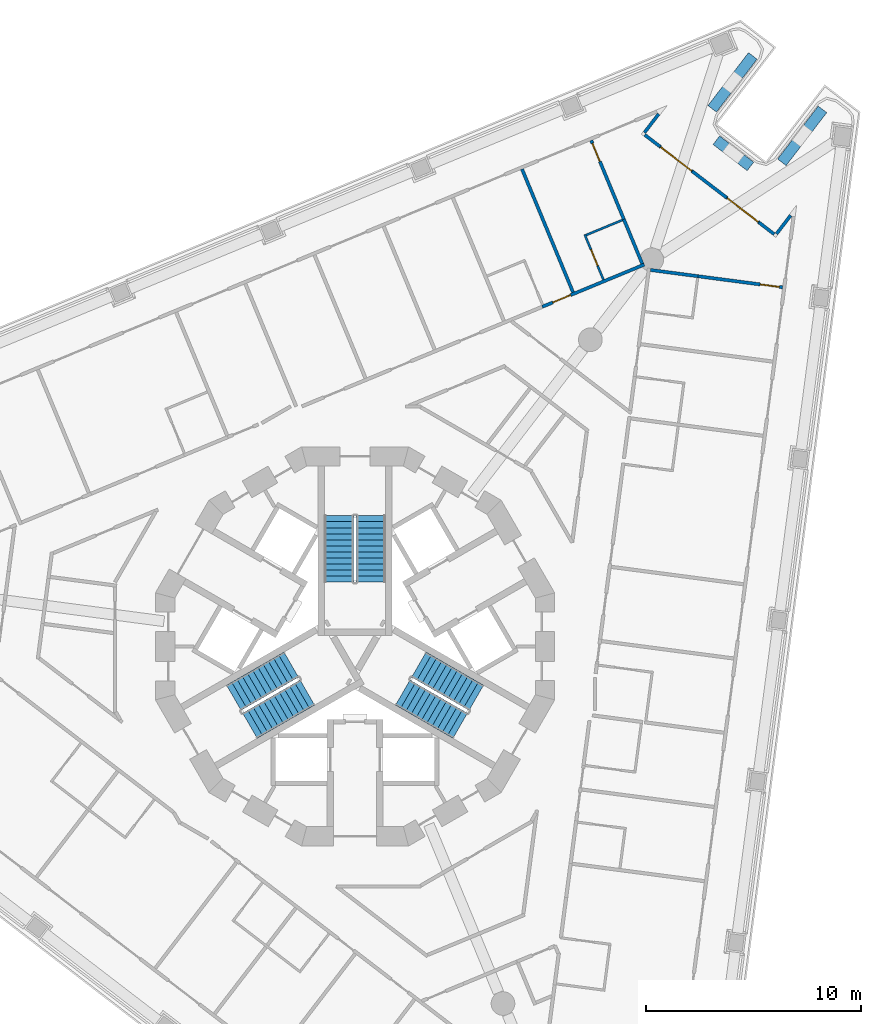
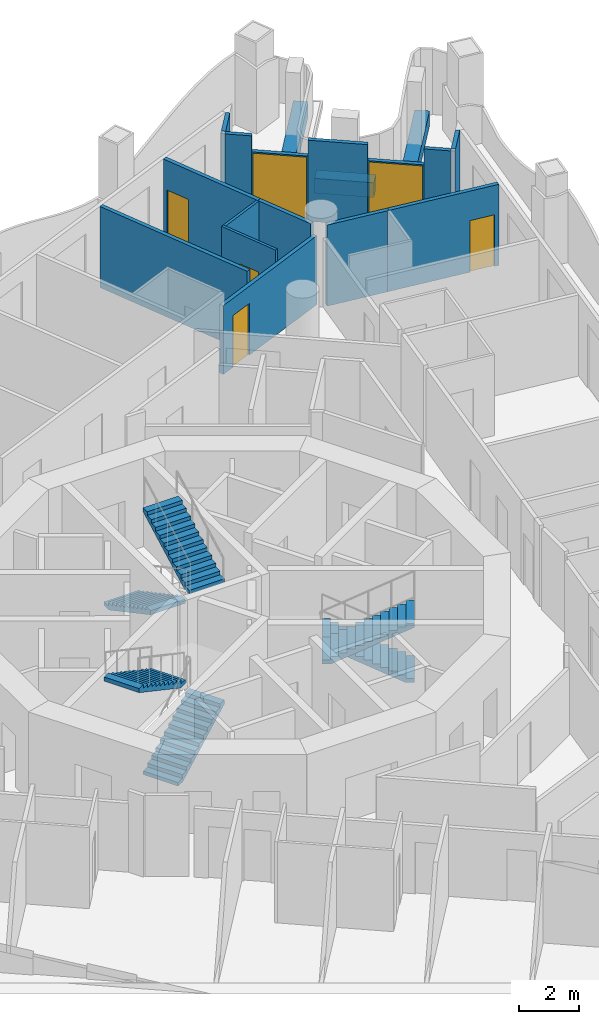
# One storey, part 10 of 17: 18 walls, 6 doors, 6 stair flights, 6 openings, 3 elements without a shape of their own.
"""IFC4 building model written with IfcOpenShell, lengths in metres."""

from ifc_helpers import new_model, si_unit, direction, frame, frame_2d, origin, place, context, subcontext, project, spatial, polyline, rectangle, outline, extrude, material, layer, layer_set, type_object, element, fill, aggregate, save


model = new_model("IFC4")

# Units and contexts
model_context = context("Model", 3, precision=1e-05, world=origin(), true_north=direction((0.0, 1.0)))
body_context = subcontext(model_context, "Body", "Model", "MODEL_VIEW")
ifc_project = project(units=[si_unit("LENGTHUNIT", "METRE"), si_unit("AREAUNIT", "SQUARE_METRE"), si_unit("VOLUMEUNIT", "CUBIC_METRE"), si_unit("PLANEANGLEUNIT", "RADIAN"), si_unit("MASSUNIT", "GRAM", prefix="KILO")], contexts=[model_context])

# Site, building, storey
site_placement = place(None, origin())
site = spatial("IfcSite", under=ifc_project, at=site_placement, CompositionType="ELEMENT")
building_placement = place(site_placement, origin())
building = spatial("IfcBuilding", under=site, at=building_placement, Name="Trine Commons Tower", CompositionType="ELEMENT")
storey_placement = place(building_placement, frame((0.0, 0.0, 131.39990234375)))
storey = spatial("IfcBuildingStorey", under=building, at=storey_placement, Name="L33", CompositionType="ELEMENT", Elevation=131.39990234375)

# Walls
ifc_material_1 = material(Name="Aluminium-framed insulated wall panel", Category="aluminium")
ifc_layer_1 = layer(ifc_material_1, 0.14990234375)
ifc_layer_set_1 = layer_set([ifc_layer_1], Name="Aluminium-framed insulated wall panel")
wall_type_1 = type_object("IfcWallType", Name="Glazed frame wall 150, EI 60", PredefinedType="SOLIDWALL", material=ifc_layer_set_1)
wall_1_placement = place(storey_placement, frame((94.193115234375, 87.345703125, 0.0), z_axis=(0.0, 0.0, 1.0), x_axis=(-0.608762998157, -0.793352136239, 0.0)))
element("IfcWall", 1, at=wall_1_placement, inside=storey, type_object=wall_type_1, Name="Glazed frame wall R5", PredefinedType="SOLIDWALL", context=body_context, shape_type="SweptSolid", body=[
    extrude(outline(polyline([(0.1494140625, 0.074951171875), (0.1494140625, -0.074951171875), (1.235107421875, -0.074951171875), (1.235107421875, 0.074951171875), (0.1494140625, 0.074951171875)])), origin(), (0.0, 0.0, 1.0), 3.300048828125),
])
wall_2_placement = place(storey_placement, frame((93.36767578125, 86.32763671875, 0.0), z_axis=(0.0, 0.0, 1.0), x_axis=(0.793331259853, -0.608790203715, 0.0)))
element("IfcWall", 2, at=wall_2_placement, inside=storey, type_object=wall_type_1, Name="Glazed frame wall P2.1", PredefinedType="SOLIDWALL", context=body_context, shape_type="SweptSolid", body=[
    extrude(outline(polyline([(0.110107421875, -0.074951171875), (1.0, -0.074951171875), (1.0, 0.074951171875), (0.110107421875, 0.074951171875), (0.110107421875, -0.074951171875)])), origin(), (0.0, 0.0, 1.0), 3.300048828125),
])

# Wall, opening, door
wall_3_placement = place(storey_placement, frame((94.1611328125, 85.71875, 0.0), z_axis=(0.0, 0.0, 1.0), x_axis=(0.793382932281, -0.608722862036, 0.0)))
wall_3 = element("IfcWall", 3, at=wall_3_placement, inside=storey, type_object=wall_type_1, Name="Glazed frame wall P2.2", PredefinedType="SOLIDWALL", context=body_context, shape_type="SweptSolid", body=[
    extrude(outline(polyline([(0.0, -0.074951171875), (1.89990234375, -0.074951171875), (1.89990234375, 0.074951171875), (0.0, 0.074951171875), (0.0, -0.074951171875)])), origin(), (0.0, 0.0, 1.0), 2.650146484375),
])
opening_1_placement = place(wall_3_placement, frame((0.050048828125, 0.0, 0.0)))
opening_1 = element("IfcOpeningElement", 4, at=opening_1_placement, cuts=wall_3, Name="Opening BD-4P2-01", PredefinedType="OPENING", context=body_context, shape_type="SweptSolid", body=[
    extrude(rectangle(XDim=1.800048828125, YDim=2.60009765625, at=frame_2d((0.89990234375, 1.300048828125))), frame((0.0, 0.0849609375, 0.0), z_axis=(0.0, -1.0, 0.0), x_axis=(1.0, 0.0, 0.0)), (0.0, 0.0, 1.0), 0.169921875),
])
ifc_material_2 = material(Name="Anodised aluminium frame with double glazing", Category="aluminium")
door_type_1 = type_object("IfcDoorType", Name="Sliding loggia door 1800x2600", OperationType="SLIDING_TO_LEFT", PredefinedType="DOOR", material=ifc_material_2)
door_1_placement = place(opening_1_placement, origin())
door_1 = element("IfcDoor", 5, at=door_1_placement, inside=storey, type_object=door_type_1, Name="Loggia door P2 1", OperationType="SLIDING_TO_LEFT", OverallHeight=2.60009765625, OverallWidth=1.800048828125, PredefinedType="DOOR", context=body_context, shape_type="SweptSolid", body=[
    extrude(rectangle(XDim=1.800048828125, YDim=2.60009765625, at=frame_2d((0.89990234375, 1.300048828125))), frame((0.0, 0.02490234375, 0.0), z_axis=(0.0, -1.0, 0.0), x_axis=(1.0, 0.0, 0.0)), (0.0, 0.0, 1.0), 0.050048828125),
])
fill(opening_1, door_1)

# Wall
wall_4_placement = place(storey_placement, frame((95.66845703125, 84.562255859375, 0.0), z_axis=(0.0, 0.0, 1.0), x_axis=(0.793344974033, -0.608772331974, 0.0)))
element("IfcWall", 6, at=wall_4_placement, inside=storey, type_object=wall_type_1, Name="Glazed frame wall P2.3", PredefinedType="SOLIDWALL", context=body_context, shape_type="SweptSolid", body=[
    extrude(outline(polyline([(0.0, -0.074951171875), (2.0, -0.074951171875), (2.0, 0.074951171875), (0.0, 0.074951171875), (0.0, -0.074951171875)])), origin(), (0.0, 0.0, 1.0), 3.300048828125),
])

# Wall, opening, door
wall_5_placement = place(storey_placement, frame((97.255126953125, 83.3447265625, 0.0), z_axis=(0.0, 0.0, 1.0), x_axis=(0.793320872023, -0.608803740143, 0.0)))
wall_5 = element("IfcWall", 7, at=wall_5_placement, inside=storey, type_object=wall_type_1, Name="Glazed frame wall P2.4", PredefinedType="SOLIDWALL", context=body_context, shape_type="SweptSolid", body=[
    extrude(outline(polyline([(0.0, -0.074951171875), (1.89990234375, -0.074951171875), (1.89990234375, 0.074951171875), (0.0, 0.074951171875), (0.0, -0.074951171875)])), origin(), (0.0, 0.0, 1.0), 2.650146484375),
])
opening_2_placement = place(wall_5_placement, frame((0.050048828125, 0.0, 0.0)))
opening_2 = element("IfcOpeningElement", 8, at=opening_2_placement, cuts=wall_5, Name="Opening BD-4P2-02", PredefinedType="OPENING", context=body_context, shape_type="SweptSolid", body=[
    extrude(rectangle(XDim=1.800048828125, YDim=2.60009765625, at=frame_2d((0.89990234375, 1.300048828125))), frame((0.0, 0.0849609375, 0.0), z_axis=(0.0, -1.0, 0.0), x_axis=(1.0, 0.0, 0.0)), (0.0, 0.0, 1.0), 0.169921875),
])
door_2_placement = place(opening_2_placement, origin())
door_2 = element("IfcDoor", 9, at=door_2_placement, inside=storey, type_object=door_type_1, Name="Loggia door P2 2", OperationType="SLIDING_TO_LEFT", OverallHeight=2.60009765625, OverallWidth=1.800048828125, PredefinedType="DOOR", context=body_context, shape_type="SweptSolid", body=[
    extrude(rectangle(XDim=1.800048828125, YDim=2.60009765625, at=frame_2d((0.89990234375, 1.300048828125))), frame((0.0, 0.02490234375, 0.0), z_axis=(0.0, -1.0, 0.0), x_axis=(1.0, 0.0, 0.0)), (0.0, 0.0, 1.0), 0.050048828125),
])
fill(opening_2, door_2)

# Walls
wall_6_placement = place(storey_placement, frame((98.762451171875, 82.18798828125, 0.0), z_axis=(0.0, 0.0, 1.0), x_axis=(0.793449156962, -0.60863653794, 0.0)))
element("IfcWall", 10, at=wall_6_placement, inside=storey, type_object=wall_type_1, Name="Glazed frame wall P2.5", PredefinedType="SOLIDWALL", context=body_context, shape_type="SweptSolid", body=[
    extrude(outline(polyline([(0.889892578125, 0.074951171875), (0.0, 0.074951171875), (0.0, -0.074951171875), (0.889892578125, -0.074951171875), (0.889892578125, 0.074951171875)])), origin(), (0.0, 0.0, 1.0), 3.300048828125),
])
wall_7_placement = place(storey_placement, frame((99.5068359375, 81.57275390625, 0.0), z_axis=(0.0, 0.0, 1.0), x_axis=(0.608762998157, 0.793352136239, 0.0)))
element("IfcWall", 11, at=wall_7_placement, inside=storey, type_object=wall_type_1, Name="Glazed frame wall R7", PredefinedType="SOLIDWALL", context=body_context, shape_type="SweptSolid", body=[
    extrude(outline(polyline([(0.110107421875, 0.074951171875), (0.110107421875, -0.074951171875), (1.19580078125, -0.074951171875), (1.19580078125, 0.074951171875), (0.110107421875, 0.074951171875)])), origin(), (0.0, 0.0, 1.0), 3.300048828125),
])
ifc_material_3 = material(Name="Planter trough, precast concrete C40/50", Category="concrete")
ifc_layer_2 = layer(ifc_material_3, 0.5)
ifc_layer_set_2 = layer_set([ifc_layer_2], Name="Planter trough, precast concrete C40/50")
wall_type_2 = type_object("IfcWallType", Name="Planter trough 500x600", PredefinedType="PARAPET", material=ifc_layer_set_2)
wall_8_placement = place(storey_placement, frame((98.474609375, 89.927490234375, 0.0), z_axis=(0.0, 0.0, 1.0), x_axis=(-0.608796883945, -0.793326133503, 0.0)))
element("IfcWall", 12, at=wall_8_placement, inside=storey, type_object=wall_type_2, Name="Planter 4", PredefinedType="PARAPET", context=body_context, shape_type="SweptSolid", body=[
    extrude(rectangle(XDim=3.099853515625, YDim=0.5, at=frame_2d((1.5498046875, 0.0))), origin(), (0.0, 0.0, 1.0), 0.60009765625),
])
wall_9_placement = place(storey_placement, frame((96.779296875, 86.010009765625, 0.0), z_axis=(0.0, 0.0, 1.0), x_axis=(0.793390207748, -0.608713379391, 0.0)))
element("IfcWall", 13, at=wall_9_placement, inside=storey, type_object=wall_type_2, Name="Planter 5", PredefinedType="PARAPET", context=body_context, shape_type="SweptSolid", body=[
    extrude(rectangle(XDim=2.000244140625, YDim=0.5, at=frame_2d((1.0, 0.0))), origin(), (0.0, 0.0, 1.0), 0.60009765625),
])
wall_10_placement = place(storey_placement, frame((99.82421875, 84.984619140625, 0.0), z_axis=(0.0, 0.0, 1.0), x_axis=(0.608796883945, 0.793326133503, 0.0)))
element("IfcWall", 14, at=wall_10_placement, inside=storey, type_object=wall_type_2, Name="Planter 6", PredefinedType="PARAPET", context=body_context, shape_type="SweptSolid", body=[
    extrude(rectangle(XDim=3.099853515625, YDim=0.5, at=frame_2d((1.5498046875, 0.0))), origin(), (0.0, 0.0, 1.0), 0.60009765625),
])
ifc_material_4 = material(Name="Gypsum plasterboard on steel stud", Category="steel")
ifc_layer_3 = layer(ifc_material_4, 0.14990234375)
ifc_layer_set_3 = layer_set([ifc_layer_3], Name="Gypsum plasterboard on steel stud")
wall_type_3 = type_object("IfcWallType", Name="Unit and corridor wall 150 mm, EI 60", PredefinedType="PARTITIONING", material=ifc_layer_set_3)
wall_11_placement = place(storey_placement, frame((87.75537109375, 84.66796875, 0.0), z_axis=(0.0, 0.0, 1.0), x_axis=(0.382666303598, -0.923886627293, 0.0)))
element("IfcWall", 15, at=wall_11_placement, inside=storey, type_object=wall_type_3, Name="Partition 086", PredefinedType="PARTITIONING", context=body_context, shape_type="SweptSolid", body=[
    extrude(rectangle(XDim=6.193115234375, YDim=0.14990234375, at=frame_2d((3.0966796875, 0.0))), origin(), (0.0, 0.0, 1.0), 3.300048828125),
])

# Wall, opening, door
wall_12_placement = place(storey_placement, frame((88.69287109375, 78.27197265625, 0.0), z_axis=(0.0, 0.0, 1.0), x_axis=(0.92395946552, 0.382490399978, 0.0)))
wall_12 = element("IfcWall", 16, at=wall_12_placement, inside=storey, type_object=wall_type_3, Name="Partition 096", PredefinedType="PARTITIONING", context=body_context, shape_type="SweptSolid", body=[
    extrude(rectangle(XDim=5.1337890625, YDim=0.14990234375, at=frame_2d((2.56689453125, 0.0))), origin(), (0.0, 0.0, 1.0), 2.800048828125),
])
opening_3_placement = place(wall_12_placement, frame((0.531494140625, 0.0, 0.0)))
opening_3 = element("IfcOpeningElement", 17, at=opening_3_placement, cuts=wall_12, Name="Opening D-4A13", PredefinedType="OPENING", context=body_context, shape_type="SweptSolid", body=[
    extrude(rectangle(XDim=0.89990234375, YDim=2.10009765625, at=frame_2d((0.449951171875, 1.050048828125))), frame((0.0, 0.0849609375, 0.0), z_axis=(0.0, -1.0, 0.0), x_axis=(1.0, 0.0, 0.0)), (0.0, 0.0, 1.0), 0.169921875),
])
ifc_material_5 = material(Name="Timber fire door set", Category="wood")
door_type_2 = type_object("IfcDoorType", Name="Bedroom door 900 x 2100, FD30S", OperationType="NOTDEFINED", PredefinedType="DOOR", material=ifc_material_5)
door_3_placement = place(opening_3_placement, origin())
door_3 = element("IfcDoor", 18, at=door_3_placement, inside=storey, type_object=door_type_2, Name="Door D-4A13", OperationType="SINGLE_SWING_LEFT", OverallHeight=2.10009765625, OverallWidth=0.89990234375, PredefinedType="DOOR", context=body_context, shape_type="SweptSolid", body=[
    extrude(rectangle(XDim=0.89990234375, YDim=2.10009765625, at=frame_2d((0.449951171875, 1.050048828125))), frame((0.0, 0.02490234375, 0.0), z_axis=(0.0, -1.0, 0.0), x_axis=(1.0, 0.0, 0.0)), (0.0, 0.0, 1.0), 0.050048828125),
])
fill(opening_3, door_3)

wall_13_placement = place(storey_placement, frame((90.96826171875, 85.9990234375, 0.0), z_axis=(0.0, 0.0, 1.0), x_axis=(0.382692977479, -0.923875578738, 0.0)))
wall_13 = element("IfcWall", 19, at=wall_13_placement, inside=storey, type_object=wall_type_3, Name="Partition 114", PredefinedType="PARTITIONING", context=body_context, shape_type="SweptSolid", body=[
    extrude(rectangle(XDim=4.023681640625, YDim=0.14990234375, at=frame_2d((2.01171875, 0.0))), origin(), (0.0, 0.0, 1.0), 3.300048828125),
])
opening_4_placement = place(wall_13_placement, frame((0.14990234375, 0.0, 0.0)))
opening_4 = element("IfcOpeningElement", 20, at=opening_4_placement, cuts=wall_13, Name="Opening D-4A14", PredefinedType="OPENING", context=body_context, shape_type="SweptSolid", body=[
    extrude(rectangle(XDim=0.89990234375, YDim=2.10009765625, at=frame_2d((0.449951171875, 1.050048828125))), frame((0.0, 0.0849609375, 0.0), z_axis=(0.0, -1.0, 0.0), x_axis=(1.0, 0.0, 0.0)), (0.0, 0.0, 1.0), 0.169921875),
])
door_4_placement = place(opening_4_placement, frame((0.89990234375, 0.0, 0.0), z_axis=(0.0, 0.0, 1.0), x_axis=(-1.0, 0.0, 0.0)))
door_4 = element("IfcDoor", 21, at=door_4_placement, inside=storey, type_object=door_type_2, Name="Door D-4A14", OperationType="SINGLE_SWING_RIGHT", OverallHeight=2.10009765625, OverallWidth=0.89990234375, PredefinedType="DOOR", context=body_context, shape_type="SweptSolid", body=[
    extrude(rectangle(XDim=0.89990234375, YDim=2.10009765625, at=frame_2d((0.449951171875, 1.050048828125))), frame((0.0, 0.02490234375, 0.0), z_axis=(0.0, -1.0, 0.0), x_axis=(1.0, 0.0, 0.0)), (0.0, 0.0, 1.0), 0.050048828125),
])
fill(opening_4, door_4)

# Walls
wall_14_placement = place(storey_placement, frame((92.486083984375, 82.3359375, 0.0), z_axis=(0.0, 0.0, 1.0), x_axis=(0.382374366103, -0.924007491391, 0.0)))
element("IfcWall", 22, at=wall_14_placement, inside=storey, type_object=wall_type_3, Name="Partition 126", PredefinedType="PARTITIONING", context=body_context, shape_type="SweptSolid", body=[
    extrude(rectangle(XDim=2.22900390625, YDim=0.14990234375, at=frame_2d((1.114501953125, 0.0))), origin(), (0.0, 0.0, 1.0), 3.300048828125),
])
wall_15_placement = place(storey_placement, frame((93.718505859375, 79.984130859375, 0.0), z_axis=(0.0, 0.0, 1.0), x_axis=(0.991444602233, -0.130528160577, 0.0)))
element("IfcWall", 23, at=wall_15_placement, inside=storey, type_object=wall_type_3, Name="Partition 137", PredefinedType="PARTITIONING", context=body_context, shape_type="SweptSolid", body=[
    extrude(rectangle(XDim=2.2294921875, YDim=0.14990234375, at=frame_2d((1.11474609375, 0.0))), origin(), (0.0, 0.0, 1.0), 3.300048828125),
])

# Wall, opening, door
wall_16_placement = place(storey_placement, frame((95.871337890625, 79.700439453125, 0.0), z_axis=(0.0, 0.0, 1.0), x_axis=(0.991472672227, -0.130314773632, 0.0)))
wall_16 = element("IfcWall", 24, at=wall_16_placement, inside=storey, type_object=wall_type_3, Name="Partition 141", PredefinedType="PARTITIONING", context=body_context, shape_type="SweptSolid", body=[
    extrude(rectangle(XDim=4.022216796875, YDim=0.14990234375, at=frame_2d((2.01123046875, 0.0))), origin(), (0.0, 0.0, 1.0), 3.300048828125),
])
opening_5_placement = place(wall_16_placement, frame((2.972412109375, 0.0, 0.0)))
opening_5 = element("IfcOpeningElement", 25, at=opening_5_placement, cuts=wall_16, Name="Opening D-4A15", PredefinedType="OPENING", context=body_context, shape_type="SweptSolid", body=[
    extrude(rectangle(XDim=0.89990234375, YDim=2.10009765625, at=frame_2d((0.449951171875, 1.050048828125))), frame((0.0, 0.0849609375, 0.0), z_axis=(0.0, -1.0, 0.0), x_axis=(1.0, 0.0, 0.0)), (0.0, 0.0, 1.0), 0.169921875),
])
door_5_placement = place(opening_5_placement, frame((0.89990234375, 0.0, 0.0), z_axis=(0.0, 0.0, 1.0), x_axis=(-1.0, 0.0, 0.0)))
door_5 = element("IfcDoor", 26, at=door_5_placement, inside=storey, type_object=door_type_2, Name="Door D-4A15", OperationType="SINGLE_SWING_LEFT", OverallHeight=2.10009765625, OverallWidth=0.89990234375, PredefinedType="DOOR", context=body_context, shape_type="SweptSolid", body=[
    extrude(rectangle(XDim=0.89990234375, YDim=2.10009765625, at=frame_2d((0.449951171875, 1.050048828125))), frame((0.0, 0.02490234375, 0.0), z_axis=(0.0, -1.0, 0.0), x_axis=(1.0, 0.0, 0.0)), (0.0, 0.0, 1.0), 0.050048828125),
])
fill(opening_5, door_5)

ifc_layer_4 = layer(ifc_material_4, 0.10009765625)
ifc_layer_set_4 = layer_set([ifc_layer_4], Name="Gypsum plasterboard on steel stud")
wall_type_4 = type_object("IfcWallType", Name="Unit partition 100 mm, no rating", PredefinedType="PARTITIONING", material=ifc_layer_set_4)
wall_17_placement = place(storey_placement, frame((90.666015625, 81.632080078125, 0.0), z_axis=(0.0, 0.0, 1.0), x_axis=(0.382595073996, -0.923916126796, 0.0)))
wall_17 = element("IfcWall", 27, at=wall_17_placement, inside=storey, type_object=wall_type_4, Name="Partition 112", PredefinedType="PARTITIONING", context=body_context, shape_type="SweptSolid", body=[
    extrude(rectangle(XDim=2.27490234375, YDim=0.10009765625, at=frame_2d((1.137451171875, 0.0))), origin(), (0.0, 0.0, 1.0), 3.300048828125),
])
opening_6_placement = place(wall_17_placement, frame((0.7626953125, 0.0, 0.0)))
opening_6 = element("IfcOpeningElement", 28, at=opening_6_placement, cuts=wall_17, Name="Opening D-4A43", PredefinedType="OPENING", context=body_context, shape_type="SweptSolid", body=[
    extrude(rectangle(XDim=0.800048828125, YDim=2.10009765625, at=frame_2d((0.39990234375, 1.050048828125))), frame((0.0, 0.06005859375, 0.0), z_axis=(0.0, -1.0, 0.0), x_axis=(1.0, 0.0, 0.0)), (0.0, 0.0, 1.0), 0.1201171875),
])
ifc_material_6 = material(Name="Painted timber", Category="wood")
door_type_3 = type_object("IfcDoorType", Name="Internal door 800 x 2100, NOT RATED", OperationType="NOTDEFINED", PredefinedType="DOOR", material=ifc_material_6)
door_6_placement = place(opening_6_placement, frame((0.800048828125, 0.0, 0.0), z_axis=(0.0, 0.0, 1.0), x_axis=(-1.0, 0.0, 0.0)))
door_6 = element("IfcDoor", 29, at=door_6_placement, inside=storey, type_object=door_type_3, Name="Door D-4A43", OperationType="SINGLE_SWING_LEFT", OverallHeight=2.10009765625, OverallWidth=0.800048828125, PredefinedType="DOOR", context=body_context, shape_type="SweptSolid", body=[
    extrude(rectangle(XDim=0.800048828125, YDim=2.10009765625, at=frame_2d((0.39990234375, 1.050048828125))), frame((0.0, 0.02490234375, 0.0), z_axis=(0.0, -1.0, 0.0), x_axis=(1.0, 0.0, 0.0)), (0.0, 0.0, 1.0), 0.050048828125),
])
fill(opening_6, door_6)

# Wall
wall_18_placement = place(storey_placement, frame((90.731201171875, 81.60498046875, 0.0), z_axis=(0.0, 0.0, 1.0), x_axis=(0.923945120737, 0.382525049986, 0.0)))
element("IfcWall", 30, at=wall_18_placement, inside=storey, type_object=wall_type_4, Name="Partition 113", PredefinedType="PARTITIONING", context=body_context, shape_type="SweptSolid", body=[
    extrude(rectangle(XDim=1.825439453125, YDim=0.10009765625, at=frame_2d((0.91259765625, 0.0))), origin(), (0.0, 0.0, 1.0), 3.300048828125),
])

# Stair, stair flights
ifc_material_7 = material(Name="Concrete C50/60", Category="concrete")
stair_type = type_object("IfcStairType", Name="Exit stair, dog-leg, 24 risers of 150 mm", PredefinedType="HALF_TURN_STAIR", material=ifc_material_7)
stair_1_placement = place(storey_placement, origin())
stair_1 = element("IfcStair", 31, at=stair_1_placement, inside=storey, type_object=stair_type, Name="L33 Exit stair ST1B", PredefinedType="HALF_TURN_STAIR")
stair_flight_type = type_object("IfcStairFlightType", Name="Stair flight, 1350 wide, 12 risers of 150 mm", PredefinedType="STRAIGHT", material=ifc_material_7)
stair_flight_1_placement = place(storey_placement, frame((79.25, 68.570556640625, 0.0), z_axis=(0.0, 0.0, 1.0), x_axis=(0.0, -1.0, 0.0)))
stair_flight_1 = element("IfcStairFlight", 32, at=stair_flight_1_placement, type_object=stair_flight_type, Name="ST1B flight 1", NumberOfRisers=12, NumberOfTreads=11, PredefinedType="STRAIGHT", RiserHeight=0.15, TreadLength=0.28, context=body_context, shape_type="SweptSolid", body=[
    extrude(outline(polyline([(0.0, 0.0), (0.0, 0.14990234375), (0.280029296875, 0.14990234375), (0.280029296875, 0.300048828125), (0.56005859375, 0.300048828125), (0.56005859375, 0.449951171875), (0.840087890625, 0.449951171875), (0.840087890625, 0.60009765625), (1.1201171875, 0.60009765625), (1.1201171875, 0.75), (1.39990234375, 0.75), (1.39990234375, 0.89990234375), (1.679931640625, 0.89990234375), (1.679931640625, 1.050048828125), (1.9599609375, 1.050048828125), (1.9599609375, 1.199951171875), (2.239990234375, 1.199951171875), (2.239990234375, 1.35009765625), (2.52001953125, 1.35009765625), (2.52001953125, 1.5), (2.800048828125, 1.5), (2.800048828125, 1.64990234375), (3.080078125, 1.64990234375), (3.080078125, 1.800048828125), (3.080078125, 1.47998046875), (0.3173828125, 0.0), (0.0, 0.0)])), frame((0.0, 0.675048828125, 0.0), z_axis=(0.0, -1.0, 0.0), x_axis=(1.0, 0.0, 0.0)), (0.0, 0.0, 1.0), 1.35009765625),
])
stair_flight_2_placement = place(storey_placement, frame((80.75, 65.490478515625, 1.800048828125), z_axis=(0.0, 0.0, 1.0), x_axis=(0.0, 1.0, 0.0)))
stair_flight_2 = element("IfcStairFlight", 33, at=stair_flight_2_placement, type_object=stair_flight_type, Name="ST1B flight 2", NumberOfRisers=12, NumberOfTreads=11, PredefinedType="STRAIGHT", RiserHeight=0.15, TreadLength=0.28, context=body_context, shape_type="SweptSolid", body=[
    extrude(outline(polyline([(0.0, 0.0), (0.0, 0.14990234375), (0.280029296875, 0.14990234375), (0.280029296875, 0.300048828125), (0.56005859375, 0.300048828125), (0.56005859375, 0.449951171875), (0.840087890625, 0.449951171875), (0.840087890625, 0.60009765625), (1.1201171875, 0.60009765625), (1.1201171875, 0.75), (1.39990234375, 0.75), (1.39990234375, 0.89990234375), (1.679931640625, 0.89990234375), (1.679931640625, 1.050048828125), (1.9599609375, 1.050048828125), (1.9599609375, 1.199951171875), (2.239990234375, 1.199951171875), (2.239990234375, 1.35009765625), (2.52001953125, 1.35009765625), (2.52001953125, 1.5), (2.800048828125, 1.5), (2.800048828125, 1.64990234375), (3.080078125, 1.64990234375), (3.080078125, 1.800048828125), (3.080078125, 1.47998046875), (0.3173828125, 0.0), (0.0, 0.0)])), frame((0.0, 0.675048828125, 0.0), z_axis=(0.0, -1.0, 0.0), x_axis=(1.0, 0.0, 0.0)), (0.0, 0.0, 1.0), 1.35009765625),
])
aggregate(stair_1, [stair_flight_1, stair_flight_2])

stair_2_placement = place(storey_placement, origin())
stair_2 = element("IfcStair", 34, at=stair_2_placement, inside=storey, type_object=stair_type, Name="L33 Exit stair ST2B", PredefinedType="HALF_TURN_STAIR")
stair_flight_3_placement = place(storey_placement, frame((75.11767578125, 58.815185546875, 0.0), z_axis=(0.0, 0.0, 1.0), x_axis=(0.866025403784, 0.5, 0.0)))
stair_flight_3 = element("IfcStairFlight", 35, at=stair_flight_3_placement, type_object=stair_flight_type, Name="ST2B flight 1", NumberOfRisers=12, NumberOfTreads=11, PredefinedType="STRAIGHT", RiserHeight=0.15, TreadLength=0.28, context=body_context, shape_type="SweptSolid", body=[
    extrude(outline(polyline([(0.0, 0.0), (0.0, 0.14990234375), (0.280029296875, 0.14990234375), (0.280029296875, 0.300048828125), (0.56005859375, 0.300048828125), (0.56005859375, 0.449951171875), (0.840087890625, 0.449951171875), (0.840087890625, 0.60009765625), (1.1201171875, 0.60009765625), (1.1201171875, 0.75), (1.39990234375, 0.75), (1.39990234375, 0.89990234375), (1.679931640625, 0.89990234375), (1.679931640625, 1.050048828125), (1.9599609375, 1.050048828125), (1.9599609375, 1.199951171875), (2.239990234375, 1.199951171875), (2.239990234375, 1.35009765625), (2.52001953125, 1.35009765625), (2.52001953125, 1.5), (2.800048828125, 1.5), (2.800048828125, 1.64990234375), (3.080078125, 1.64990234375), (3.080078125, 1.800048828125), (3.080078125, 1.47998046875), (0.3173828125, 0.0), (0.0, 0.0)])), frame((0.0, 0.675048828125, 0.0), z_axis=(0.0, -1.0, 0.0), x_axis=(1.0, 0.0, 0.0)), (0.0, 0.0, 1.0), 1.35009765625),
])
stair_flight_4_placement = place(storey_placement, frame((77.03515625, 61.654296875, 1.800048828125), z_axis=(0.0, 0.0, 1.0), x_axis=(-0.866025403784, -0.5, 0.0)))
stair_flight_4 = element("IfcStairFlight", 36, at=stair_flight_4_placement, type_object=stair_flight_type, Name="ST2B flight 2", NumberOfRisers=12, NumberOfTreads=11, PredefinedType="STRAIGHT", RiserHeight=0.15, TreadLength=0.28, context=body_context, shape_type="SweptSolid", body=[
    extrude(outline(polyline([(0.0, 0.0), (0.0, 0.14990234375), (0.280029296875, 0.14990234375), (0.280029296875, 0.300048828125), (0.56005859375, 0.300048828125), (0.56005859375, 0.449951171875), (0.840087890625, 0.449951171875), (0.840087890625, 0.60009765625), (1.1201171875, 0.60009765625), (1.1201171875, 0.75), (1.39990234375, 0.75), (1.39990234375, 0.89990234375), (1.679931640625, 0.89990234375), (1.679931640625, 1.050048828125), (1.9599609375, 1.050048828125), (1.9599609375, 1.199951171875), (2.239990234375, 1.199951171875), (2.239990234375, 1.35009765625), (2.52001953125, 1.35009765625), (2.52001953125, 1.5), (2.800048828125, 1.5), (2.800048828125, 1.64990234375), (3.080078125, 1.64990234375), (3.080078125, 1.800048828125), (3.080078125, 1.47998046875), (0.3173828125, 0.0), (0.0, 0.0)])), frame((0.0, 0.675048828125, 0.0), z_axis=(0.0, -1.0, 0.0), x_axis=(1.0, 0.0, 0.0)), (0.0, 0.0, 1.0), 1.35009765625),
])
aggregate(stair_2, [stair_flight_3, stair_flight_4])

stair_3_placement = place(storey_placement, origin())
stair_3 = element("IfcStair", 37, at=stair_3_placement, inside=storey, type_object=stair_type, Name="L33 Exit stair ST3B", PredefinedType="HALF_TURN_STAIR")
stair_flight_5_placement = place(storey_placement, frame((85.63232421875, 60.1142578125, 0.0), z_axis=(0.0, 0.0, 1.0), x_axis=(-0.866025403784, 0.5, 0.0)))
stair_flight_5 = element("IfcStairFlight", 38, at=stair_flight_5_placement, type_object=stair_flight_type, Name="ST3B flight 1", NumberOfRisers=12, NumberOfTreads=11, PredefinedType="STRAIGHT", RiserHeight=0.15, TreadLength=0.28, context=body_context, shape_type="SweptSolid", body=[
    extrude(outline(polyline([(0.0, 0.0), (0.0, 0.14990234375), (0.280029296875, 0.14990234375), (0.280029296875, 0.300048828125), (0.56005859375, 0.300048828125), (0.56005859375, 0.449951171875), (0.840087890625, 0.449951171875), (0.840087890625, 0.60009765625), (1.1201171875, 0.60009765625), (1.1201171875, 0.75), (1.39990234375, 0.75), (1.39990234375, 0.89990234375), (1.679931640625, 0.89990234375), (1.679931640625, 1.050048828125), (1.9599609375, 1.050048828125), (1.9599609375, 1.199951171875), (2.239990234375, 1.199951171875), (2.239990234375, 1.35009765625), (2.52001953125, 1.35009765625), (2.52001953125, 1.5), (2.800048828125, 1.5), (2.800048828125, 1.64990234375), (3.080078125, 1.64990234375), (3.080078125, 1.800048828125), (3.080078125, 1.47998046875), (0.3173828125, 0.0), (0.0, 0.0)])), frame((0.0, 0.675048828125, 0.0), z_axis=(0.0, -1.0, 0.0), x_axis=(1.0, 0.0, 0.0)), (0.0, 0.0, 1.0), 1.35009765625),
])
stair_flight_6_placement = place(storey_placement, frame((82.21484375, 60.355224609375, 1.800048828125), z_axis=(0.0, 0.0, 1.0), x_axis=(0.866025403784, -0.5, 0.0)))
stair_flight_6 = element("IfcStairFlight", 39, at=stair_flight_6_placement, type_object=stair_flight_type, Name="ST3B flight 2", NumberOfRisers=12, NumberOfTreads=11, PredefinedType="STRAIGHT", RiserHeight=0.15, TreadLength=0.28, context=body_context, shape_type="SweptSolid", body=[
    extrude(outline(polyline([(0.0, 0.0), (0.0, 0.14990234375), (0.280029296875, 0.14990234375), (0.280029296875, 0.300048828125), (0.56005859375, 0.300048828125), (0.56005859375, 0.449951171875), (0.840087890625, 0.449951171875), (0.840087890625, 0.60009765625), (1.1201171875, 0.60009765625), (1.1201171875, 0.75), (1.39990234375, 0.75), (1.39990234375, 0.89990234375), (1.679931640625, 0.89990234375), (1.679931640625, 1.050048828125), (1.9599609375, 1.050048828125), (1.9599609375, 1.199951171875), (2.239990234375, 1.199951171875), (2.239990234375, 1.35009765625), (2.52001953125, 1.35009765625), (2.52001953125, 1.5), (2.800048828125, 1.5), (2.800048828125, 1.64990234375), (3.080078125, 1.64990234375), (3.080078125, 1.800048828125), (3.080078125, 1.47998046875), (0.3173828125, 0.0), (0.0, 0.0)])), frame((0.0, 0.675048828125, 0.0), z_axis=(0.0, -1.0, 0.0), x_axis=(1.0, 0.0, 0.0)), (0.0, 0.0, 1.0), 1.35009765625),
])
aggregate(stair_3, [stair_flight_5, stair_flight_6])

save(model, "model.ifc")
